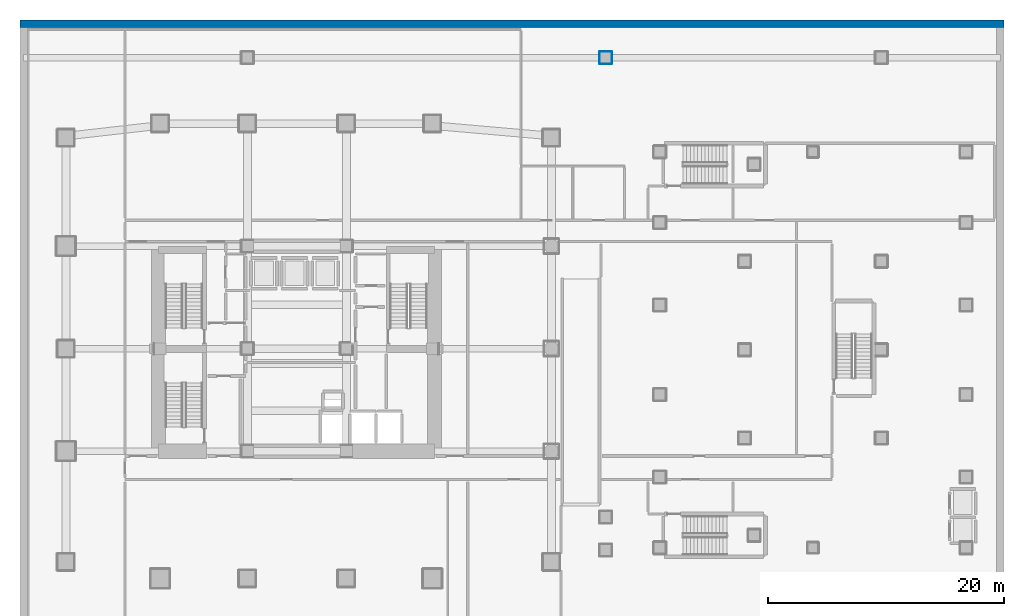
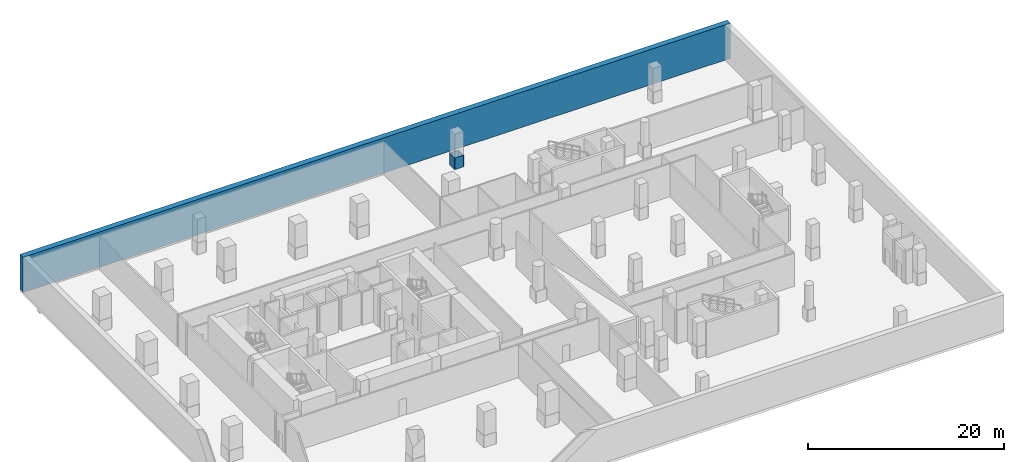
# One storey, part 8 of 15: 5 walls.
"""IFC4 building model written with IfcOpenShell, lengths in metres."""

from ifc_helpers import new_model, si_unit, direction, frame, frame_2d, origin, place, context, subcontext, project, spatial, rectangle, extrude, material, layer, layer_set, type_object, element, save


model = new_model("IFC4")

# Units and contexts
model_context = context("Model", 3, precision=1e-05, world=origin(), true_north=direction((0.0, 1.0)))
body_context = subcontext(model_context, "Body", "Model", "MODEL_VIEW")
ifc_project = project(units=[si_unit("LENGTHUNIT", "METRE"), si_unit("AREAUNIT", "SQUARE_METRE"), si_unit("VOLUMEUNIT", "CUBIC_METRE"), si_unit("PLANEANGLEUNIT", "RADIAN"), si_unit("MASSUNIT", "GRAM", prefix="KILO")], contexts=[model_context])

# Site, building, storey
site_placement = place(None, origin())
site = spatial("IfcSite", under=ifc_project, at=site_placement, CompositionType="ELEMENT")
building_placement = place(site_placement, origin())
building = spatial("IfcBuilding", under=site, at=building_placement, Name="Solanera Arch Residences", CompositionType="ELEMENT")
storey_placement = place(building_placement, frame((0.0, 0.0, -8.800048828125)))
storey = spatial("IfcBuildingStorey", under=building, at=storey_placement, Name="B02", CompositionType="ELEMENT", Elevation=-8.800048828125)

# Walls
ifc_material_1 = material(Name="Fire-Rated Gypsum Stud Partition", Category="gypsum")
ifc_layer_1 = layer(ifc_material_1, 0.06005859375)
ifc_layer_set_1 = layer_set([ifc_layer_1], Name="Fire-Rated Gypsum Stud Partition")
wall_type_1 = type_object("IfcWallType", Name="Column Acoustic Furring Wall 60", PredefinedType="PARTITIONING", material=ifc_layer_set_1)
for number, where, z_axis, x_axis, name in (
    (1, (50.699951171875, 54.867919921875, 0.0), (0.0, 0.0, 1.0), (1.0, 0.0, 0.0), "B02 Column Furring 39S"),
    (2, (50.699951171875, 55.931884765625, 0.0), (0.0, 0.0, 1.0), (1.0, 0.0, 0.0), "B02 Column Furring 39N"),
    (3, (50.66796875, 54.89990234375, 0.0), (0.0, 0.0, 1.0), (0.0, 1.0, 0.0), "B02 Column Furring 39W"),
    (4, (51.73193359375, 54.89990234375, 0.0), (0.0, 0.0, 1.0), (0.0, 1.0, 0.0), "B02 Column Furring 39E"),
):
    element("IfcWall", number, at=place(storey_placement, frame(where, z_axis=z_axis, x_axis=x_axis)), inside=storey, type_object=wall_type_1, Name=name, PredefinedType="PARTITIONING", context=body_context, shape_type="SweptSolid", body=[
        extrude(rectangle(XDim=1.0, YDim=0.06005859375, at=frame_2d((0.5, 0.0))), origin(), (0.0, 0.0, 1.0), 1.449951171875),
    ])
ifc_material_2 = material(Name="Concrete C40/50 (f'c = 45 MPa)", Category="concrete")
ifc_layer_2 = layer(ifc_material_2, 0.64990234375)
ifc_layer_set_2 = layer_set([ifc_layer_2], Name="Concrete C40/50 (f'c = 45 MPa)")
wall_type_2 = type_object("IfcWallType", Name="Solid Exterior Wall Substructure 650", PredefinedType="SOLIDWALL", material=ifc_layer_set_2)
wall_placement = place(storey_placement, frame((85.0, 58.27490234375, 0.0), z_axis=(0.0, 0.0, 1.0), x_axis=(-1.0, 0.0, 0.0)))
element("IfcWall", 5, at=wall_placement, inside=storey, type_object=wall_type_2, Name="B02 North Basement Retaining Wall", PredefinedType="SOLIDWALL", context=body_context, shape_type="SweptSolid", body=[
    extrude(rectangle(XDim=83.5, YDim=0.64990234375, at=frame_2d((41.75, 0.0))), origin(), (0.0, 0.0, 1.0), 4.400146484375),
])

save(model, "model.ifc")
